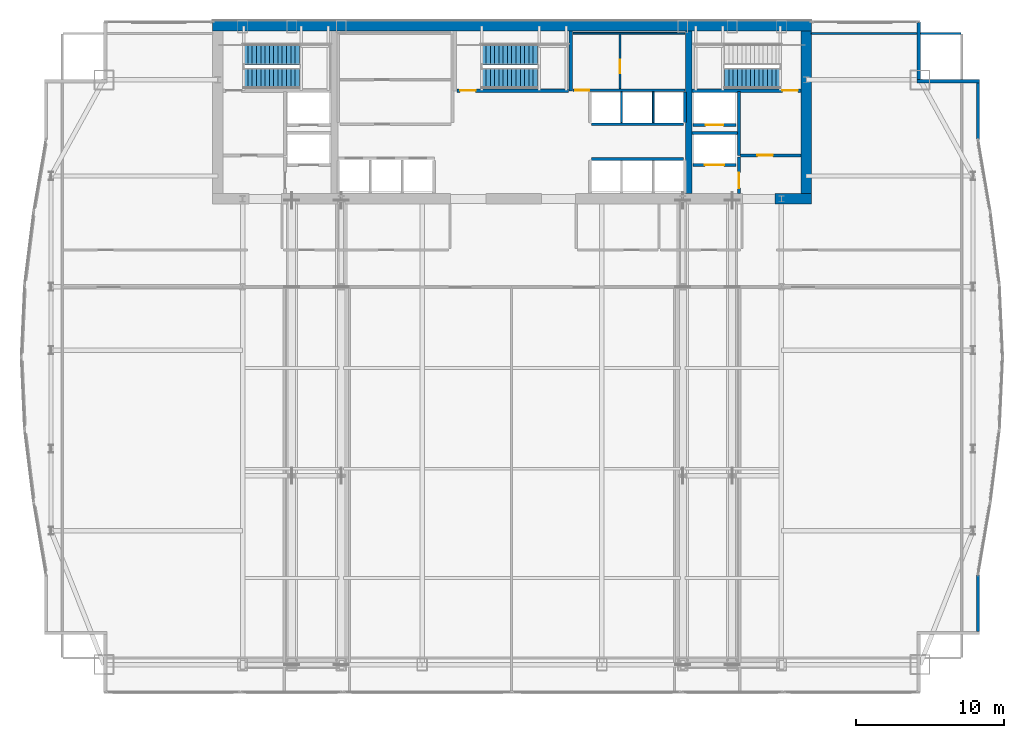
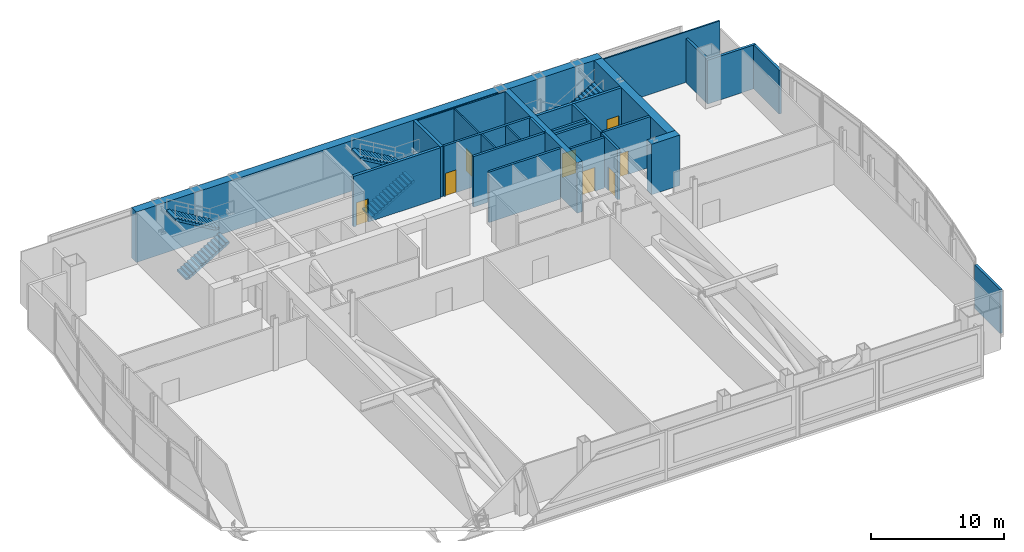
# One storey, part 26 of 30: 26 walls, 8 doors, 5 stair flights, 8 openings, 3 elements without a shape of their own.
"""IFC4 building model written with IfcOpenShell, lengths in metres."""

from ifc_helpers import new_model, si_unit, direction, frame, frame_2d, origin, place, context, subcontext, project, spatial, polyline, rectangle, outline, extrude, material, layer, layer_set, type_object, element, fill, aggregate, save


model = new_model("IFC4")

# Units and contexts
model_context = context("Model", 3, precision=1e-05, world=origin(), true_north=direction((0.0, 1.0)))
body_context = subcontext(model_context, "Body", "Model", "MODEL_VIEW")
ifc_project = project(units=[si_unit("LENGTHUNIT", "METRE"), si_unit("AREAUNIT", "SQUARE_METRE"), si_unit("VOLUMEUNIT", "CUBIC_METRE"), si_unit("PLANEANGLEUNIT", "RADIAN"), si_unit("MASSUNIT", "GRAM", prefix="KILO")], contexts=[model_context])

# Site, building, storey
site_placement = place(None, origin())
site = spatial("IfcSite", under=ifc_project, at=site_placement, CompositionType="ELEMENT")
building_placement = place(site_placement, origin())
building = spatial("IfcBuilding", under=site, at=building_placement, Name="Khoronbel Lancet Exchange", CompositionType="ELEMENT")
storey_placement = place(building_placement, frame((0.0, 0.0, 172.199951171875)))
storey = spatial("IfcBuildingStorey", under=building, at=storey_placement, Name="L43", CompositionType="ELEMENT", Elevation=172.199951171875)

# Walls
ifc_material_1 = material(Name="Concrete C80/95", Category="concrete")
ifc_layer_1 = layer(ifc_material_1, 0.699951171875, Name="Concrete C80/95")
ifc_layer_set_1 = layer_set([ifc_layer_1], Name="Concrete C80/95")
wall_type_1 = type_object("IfcWallType", Name="WL-CW2", PredefinedType="SHEAR", material=ifc_layer_set_1)
wall_1_placement = place(storey_placement, frame((16.199951171875, 53.35009765625, 0.0), z_axis=(0.0, 0.0, 1.0), x_axis=(1.0, 0.0, 0.0)))
element("IfcWall", 1, at=wall_1_placement, inside=storey, type_object=wall_type_1, Name="Level L43 rear core north shear wall", PredefinedType="SHEAR", context=body_context, shape_type="SweptSolid", body=[
    extrude(rectangle(XDim=40.5, YDim=0.699951171875, at=frame_2d((20.25, 0.0))), origin(), (0.0, 0.0, 1.0), 4.64013671875),
])
wall_2_placement = place(storey_placement, frame((56.35009765625, 53.0, 0.0), z_axis=(0.0, 0.0, 1.0), x_axis=(0.0, -1.0, 0.0)))
element("IfcWall", 2, at=wall_2_placement, inside=storey, type_object=wall_type_1, Name="Level L43 rear core east shear wall", PredefinedType="SHEAR", context=body_context, shape_type="SweptSolid", body=[
    extrude(rectangle(XDim=11.0, YDim=0.699951171875, at=frame_2d((5.5, 0.0))), origin(), (0.0, 0.0, 1.0), 4.64013671875),
])
wall_3_placement = place(storey_placement, frame((56.699951171875, 41.64990234375, 0.0), z_axis=(0.0, 0.0, 1.0), x_axis=(-1.0, 0.0, 0.0)))
element("IfcWall", 3, at=wall_3_placement, inside=storey, type_object=wall_type_1, Name="Level L43 rear core south shear wall pier P5", PredefinedType="SHEAR", context=body_context, shape_type="SweptSolid", body=[
    extrude(rectangle(XDim=2.449951171875, YDim=0.699951171875, at=frame_2d((1.22509765625, 0.0))), origin(), (0.0, 0.0, 1.0), 4.64013671875),
])
ifc_material_2 = material(Name="Precast concrete C40/50", Category="concrete")
ifc_layer_2 = layer(ifc_material_2, 0.25, Name="Precast concrete C40/50")
ifc_layer_set_2 = layer_set([ifc_layer_2], Name="Precast concrete C40/50")
wall_type_2 = type_object("IfcWallType", Name="WL-EXT250", PredefinedType="SOLIDWALL", material=ifc_layer_set_2)
wall_4_placement = place(storey_placement, frame((63.9599609375, 53.6298828125, 0.0), z_axis=(0.0, 0.0, 1.0), x_axis=(0.0, -1.0, 0.0)))
element("IfcWall", 4, at=wall_4_placement, inside=storey, type_object=wall_type_2, Name="Level L43 notched-corner limestone pier 14", PredefinedType="SOLIDWALL", context=body_context, shape_type="SweptSolid", body=[
    extrude(rectangle(XDim=3.909912109375, YDim=0.219970703125, at=frame_2d((1.955078125, 0.0))), origin(), (0.0, 0.0, 1.0), 4.030029296875),
])
wall_5_placement = place(storey_placement, frame((63.85009765625, 49.610107421875, 0.0), z_axis=(0.0, 0.0, 1.0), x_axis=(1.0, 0.0, 0.0)))
element("IfcWall", 5, at=wall_5_placement, inside=storey, type_object=wall_type_2, Name="Level L43 notched-corner limestone pier 15", PredefinedType="SOLIDWALL", context=body_context, shape_type="SweptSolid", body=[
    extrude(rectangle(XDim=4.219970703125, YDim=0.219970703125, at=frame_2d((2.10986328125, 0.0))), origin(), (0.0, 0.0, 1.0), 4.030029296875),
])
for number, where, z_axis, x_axis, name in (
    (6, (67.9599609375, 49.5, 0.0), (0.0, 0.0, 1.0), (0.0, -1.0, 0.0), "Level L43 notched-corner limestone pier 16"),
    (7, (67.9599609375, 16.2275390625, 0.0), (0.0, 0.0, 1.0), (0.0, -1.0, 0.0), "Level L43 notched-corner limestone pier 23"),
):
    element("IfcWall", number, at=place(storey_placement, frame(where, z_axis=z_axis, x_axis=x_axis)), inside=storey, type_object=wall_type_2, Name=name, PredefinedType="SOLIDWALL", context=body_context, shape_type="SweptSolid", body=[
        extrude(rectangle(XDim=3.82763671875, YDim=0.219970703125, at=frame_2d((1.913818359375, 0.0))), origin(), (0.0, 0.0, 1.0), 4.030029296875),
    ])
ifc_material_3 = material(Name="Acoustic Metal-Stud & Mineral-Wool Gypsum Partition 120 mm", Category="gypsum")
ifc_layer_3 = layer(ifc_material_3, 0.1201171875, Name="Acoustic Metal-Stud & Mineral-Wool Gypsum Partition 120 mm")
ifc_layer_set_3 = layer_set([ifc_layer_3], Name="Acoustic Metal-Stud & Mineral-Wool Gypsum Partition 120 mm")
wall_type_3 = type_object("IfcWallType", Name="WL-PRT120", PredefinedType="PARTITIONING", material=ifc_layer_set_3)
wall_6_placement = place(storey_placement, frame((56.699951171875, 52.840087890625, 0.0), z_axis=(0.0, 0.0, 1.0), x_axis=(1.0, 0.0, 0.0)))
element("IfcWall", 8, at=wall_6_placement, inside=storey, type_object=wall_type_3, Name="Level L43 interior partition PW-LIN-NE", PredefinedType="PARTITIONING", context=body_context, shape_type="SweptSolid", body=[
    extrude(rectangle(XDim=10.10498046875, YDim=0.1201171875, at=frame_2d((5.052490234375, 0.0))), origin(), (0.0, 0.0, 1.0), 4.64013671875),
])
ifc_material_4 = material(Name="Fire-Rated Metal-Stud & Mineral-Wool Gypsum Partition 120 mm", Category="gypsum")
ifc_layer_4 = layer(ifc_material_4, 0.1201171875, Name="Fire-Rated Metal-Stud & Mineral-Wool Gypsum Partition 120 mm")
ifc_layer_set_4 = layer_set([ifc_layer_4], Name="Fire-Rated Metal-Stud & Mineral-Wool Gypsum Partition 120 mm")
wall_type_4 = type_object("IfcWallType", Name="WL-PRT120F", PredefinedType="PARTITIONING", material=ifc_layer_set_4)
for number, where, z_axis, x_axis, name in (
    (9, (43.860107421875, 46.804931640625, 0.0), (0.0, 0.0, 1.0), (0.0, 1.0, 0.0), "Level L43 interior partition CW-PH-D1"),
    (10, (46.0, 46.804931640625, 0.0), (0.0, 0.0, 1.0), (0.0, 1.0, 0.0), "Level L43 interior partition CW-PH-D2"),
):
    element("IfcWall", number, at=place(storey_placement, frame(where, z_axis=z_axis, x_axis=x_axis)), inside=storey, type_object=wall_type_4, Name=name, PredefinedType="PARTITIONING", context=body_context, shape_type="SweptSolid", body=[
        extrude(rectangle(XDim=2.090087890625, YDim=0.1201171875, at=frame_2d((1.044921875, 0.0))), origin(), (0.0, 0.0, 1.0), 4.64013671875),
    ])
wall_7_placement = place(storey_placement, frame((40.580078125, 52.860107421875, 0.0), z_axis=(0.0, 0.0, 1.0), x_axis=(1.0, 0.0, 0.0)))
element("IfcWall", 11, at=wall_7_placement, inside=storey, type_object=wall_type_4, Name="Level L43 interior partition CW-SUP-NE-N", PredefinedType="PARTITIONING", context=body_context, shape_type="SweptSolid", body=[
    extrude(rectangle(XDim=7.559814453125, YDim=0.1201171875, at=frame_2d((3.77978515625, 0.0))), origin(), (0.0, 0.0, 1.0), 4.64013671875),
])

# Wall, opening, door
wall_8_placement = place(storey_placement, frame((43.755126953125, 49.10498046875, 0.0), z_axis=(0.0, 0.0, 1.0), x_axis=(0.0, 1.0, 0.0)))
wall_8 = element("IfcWall", 12, at=wall_8_placement, inside=storey, type_object=wall_type_4, Name="Level L43 interior partition CW-SUP-NE-M", PredefinedType="PARTITIONING", context=body_context, shape_type="SweptSolid", body=[
    extrude(rectangle(XDim=3.68994140625, YDim=0.1201171875, at=frame_2d((1.844970703125, 0.0))), origin(), (0.0, 0.0, 1.0), 4.64013671875),
])
opening_1_placement = place(wall_8_placement, frame((1.050048828125, 0.0, 0.0)))
opening_1 = element("IfcOpeningElement", 13, at=opening_1_placement, cuts=wall_8, Name="Opening FD4", PredefinedType="OPENING", context=body_context, shape_type="SweptSolid", body=[
    extrude(rectangle(XDim=0.89990234375, YDim=2.050048828125, at=frame_2d((0.449951171875, 1.02490234375))), frame((0.0, 0.070068359375, 0.0), z_axis=(0.0, -1.0, 0.0), x_axis=(1.0, 0.0, 0.0)), (0.0, 0.0, 1.0), 0.14013671875),
])
ifc_material_5 = material(Name="Fire-Rated Steel Core Support Door Assembly", Category="steel")
door_type_1 = type_object("IfcDoorType", Name="DR-FD4", OperationType="NOTDEFINED", PredefinedType="DOOR", material=ifc_material_5)
door_1_placement = place(opening_1_placement, origin())
door_1 = element("IfcDoor", 14, at=door_1_placement, inside=storey, type_object=door_type_1, Name="Core NE inner support door L43-1", OperationType="SINGLE_SWING_RIGHT", OverallHeight=2.050048828125, OverallWidth=0.89990234375, PredefinedType="DOOR", context=body_context, shape_type="SweptSolid", body=[
    extrude(rectangle(XDim=0.89990234375, YDim=2.050048828125, at=frame_2d((0.449951171875, 1.02490234375))), frame((0.0, 0.02490234375, 0.0), z_axis=(0.0, -1.0, 0.0), x_axis=(1.0, 0.0, 0.0)), (0.0, 0.0, 1.0), 0.050048828125),
])
fill(opening_1, door_1)

ifc_material_6 = material(Name="Autoclaved Aerated Concrete Blockwork 200 mm", Category="masonry")
ifc_layer_5 = layer(ifc_material_6, 0.199951171875, Name="Autoclaved Aerated Concrete Blockwork 200 mm")
ifc_layer_set_5 = layer_set([ifc_layer_5], Name="Autoclaved Aerated Concrete Blockwork 200 mm")
wall_type_5 = type_object("IfcWallType", Name="WL-PRT200", PredefinedType="PARTITIONING", material=ifc_layer_set_5)
wall_9_placement = place(storey_placement, frame((51.610107421875, 43.949951171875, 0.0), z_axis=(0.0, 0.0, 1.0), x_axis=(-1.0, 0.0, 0.0)))
wall_9 = element("IfcWall", 15, at=wall_9_placement, inside=storey, type_object=wall_type_5, Name="Level L43 elevator hoistway landing front wall SVLE", PredefinedType="PARTITIONING", context=body_context, shape_type="SweptSolid", body=[
    extrude(rectangle(XDim=2.920166015625, YDim=0.199951171875, at=frame_2d((1.4599609375, 0.0))), origin(), (0.0, 0.0, 1.0), 4.64013671875),
])
opening_2_placement = place(wall_9_placement, frame((0.81005859375, 0.0, 0.0)))
opening_2 = element("IfcOpeningElement", 16, at=opening_2_placement, cuts=wall_9, Name="Opening LD-SVL2", PredefinedType="OPENING", context=body_context, shape_type="SweptSolid", body=[
    extrude(rectangle(XDim=1.300048828125, YDim=2.179931640625, at=frame_2d((0.64990234375, 1.08984375))), frame((0.0, 0.10986328125, 0.0), z_axis=(0.0, -1.0, 0.0), x_axis=(1.0, 0.0, 0.0)), (0.0, 0.0, 1.0), 0.219970703125),
])
ifc_material_7 = material(Name="Heavy-Duty Bi-Parting Goods Lift Landing Door", Category="steel")
door_type_2 = type_object("IfcDoorType", Name="DR-LD-SVL", OperationType="NOTDEFINED", PredefinedType="DOOR", material=ifc_material_7)
door_2_placement = place(opening_2_placement, origin())
door_2 = element("IfcDoor", 17, at=door_2_placement, inside=storey, type_object=door_type_2, Name="Elevator landing sliding door LD-SVL2 L43", OperationType="SLIDING_TO_LEFT", OverallHeight=2.179931640625, OverallWidth=1.300048828125, PredefinedType="DOOR", context=body_context, shape_type="SweptSolid", body=[
    extrude(rectangle(XDim=1.300048828125, YDim=2.179931640625, at=frame_2d((0.64990234375, 1.08984375))), frame((0.0, 0.02490234375, 0.0), z_axis=(0.0, -1.0, 0.0), x_axis=(1.0, 0.0, 0.0)), (0.0, 0.0, 1.0), 0.050048828125),
])
fill(opening_2, door_2)

wall_10_placement = place(storey_placement, frame((51.610107421875, 46.64990234375, 0.0), z_axis=(0.0, 0.0, 1.0), x_axis=(-1.0, 0.0, 0.0)))
wall_10 = element("IfcWall", 18, at=wall_10_placement, inside=storey, type_object=wall_type_5, Name="Level L43 elevator hoistway landing front wall FFLE", PredefinedType="PARTITIONING", context=body_context, shape_type="SweptSolid", body=[
    extrude(rectangle(XDim=2.920166015625, YDim=0.199951171875, at=frame_2d((1.4599609375, 0.0))), origin(), (0.0, 0.0, 1.0), 4.64013671875),
])
opening_3_placement = place(wall_10_placement, frame((0.860107421875, 0.0, 0.0)))
opening_3 = element("IfcOpeningElement", 19, at=opening_3_placement, cuts=wall_10, Name="Opening LD-FFL2", PredefinedType="OPENING", context=body_context, shape_type="SweptSolid", body=[
    extrude(rectangle(XDim=1.199951171875, YDim=2.179931640625, at=frame_2d((0.60009765625, 1.08984375))), frame((0.0, 0.10986328125, 0.0), z_axis=(0.0, -1.0, 0.0), x_axis=(1.0, 0.0, 0.0)), (0.0, 0.0, 1.0), 0.219970703125),
])
ifc_material_8 = material(Name="Fire-Rated Stainless Bi-Parting Firefighting Lift Door", Category="steel")
door_type_3 = type_object("IfcDoorType", Name="DR-LD-FFL", OperationType="NOTDEFINED", PredefinedType="DOOR", material=ifc_material_8)
door_3_placement = place(opening_3_placement, origin())
door_3 = element("IfcDoor", 20, at=door_3_placement, inside=storey, type_object=door_type_3, Name="Elevator landing sliding door LD-FFL2 L43", OperationType="SLIDING_TO_LEFT", OverallHeight=2.179931640625, OverallWidth=1.199951171875, PredefinedType="DOOR", context=body_context, shape_type="SweptSolid", body=[
    extrude(rectangle(XDim=1.199951171875, YDim=2.179931640625, at=frame_2d((0.60009765625, 1.08984375))), frame((0.0, 0.02490234375, 0.0), z_axis=(0.0, -1.0, 0.0), x_axis=(1.0, 0.0, 0.0)), (0.0, 0.0, 1.0), 0.050048828125),
])
fill(opening_3, door_3)

# Wall
wall_11_placement = place(storey_placement, frame((51.800048828125, 44.60009765625, 0.0), z_axis=(0.0, 0.0, 1.0), x_axis=(0.0, 1.0, 0.0)))
element("IfcWall", 21, at=wall_11_placement, inside=storey, type_object=wall_type_5, Name="Level L43 interior partition CW-FFLE-W", PredefinedType="PARTITIONING", context=body_context, shape_type="SweptSolid", body=[
    extrude(rectangle(XDim=4.2998046875, YDim=0.199951171875, at=frame_2d((2.14990234375, 0.0))), origin(), (0.0, 0.0, 1.0), 4.64013671875),
])

# Wall, opening, door
wall_12_placement = place(storey_placement, frame((51.89990234375, 44.60009765625, 0.0), z_axis=(0.0, 0.0, 1.0), x_axis=(1.0, 0.0, 0.0)))
wall_12 = element("IfcWall", 22, at=wall_12_placement, inside=storey, type_object=wall_type_5, Name="Level L43 interior partition CW-FFLE-S", PredefinedType="PARTITIONING", context=body_context, shape_type="SweptSolid", body=[
    extrude(rectangle(XDim=4.10009765625, YDim=0.199951171875, at=frame_2d((2.050048828125, 0.0))), origin(), (0.0, 0.0, 1.0), 4.64013671875),
])
opening_4_placement = place(wall_12_placement, frame((1.14990234375, 0.0, 0.0)))
opening_4 = element("IfcOpeningElement", 23, at=opening_4_placement, cuts=wall_12, Name="Opening FD1", PredefinedType="OPENING", context=body_context, shape_type="SweptSolid", body=[
    extrude(rectangle(XDim=1.050048828125, YDim=2.14990234375, at=frame_2d((0.52490234375, 1.074951171875))), frame((0.0, 0.10986328125, 0.0), z_axis=(0.0, -1.0, 0.0), x_axis=(1.0, 0.0, 0.0)), (0.0, 0.0, 1.0), 0.219970703125),
])
ifc_material_9 = material(Name="Fire-Rated Painted Steel Door Assembly", Category="steel")
door_type_4 = type_object("IfcDoorType", Name="DR-FD1", OperationType="NOTDEFINED", PredefinedType="DOOR", material=ifc_material_9)
door_4_placement = place(opening_4_placement, origin())
door_4 = element("IfcDoor", 24, at=door_4_placement, inside=storey, type_object=door_type_4, Name="East firefighting lobby FD90S door L43-1", OperationType="SINGLE_SWING_LEFT", OverallHeight=2.14990234375, OverallWidth=1.050048828125, PredefinedType="DOOR", context=body_context, shape_type="SweptSolid", body=[
    extrude(rectangle(XDim=1.050048828125, YDim=2.14990234375, at=frame_2d((0.52490234375, 1.074951171875))), frame((0.0, 0.02490234375, 0.0), z_axis=(0.0, -1.0, 0.0), x_axis=(1.0, 0.0, 0.0)), (0.0, 0.0, 1.0), 0.050048828125),
])
fill(opening_4, door_4)

# Wall
wall_13_placement = place(storey_placement, frame((48.6298828125, 46.1201171875, 0.0), z_axis=(0.0, 0.0, 1.0), x_axis=(1.0, 0.0, 0.0)))
element("IfcWall", 25, at=wall_13_placement, inside=storey, type_object=wall_type_5, Name="Level L43 interior partition CW-FFL2-S", PredefinedType="PARTITIONING", context=body_context, shape_type="SweptSolid", body=[
    extrude(rectangle(XDim=3.070068359375, YDim=0.199951171875, at=frame_2d((1.53515625, 0.0))), origin(), (0.0, 0.0, 1.0), 4.64013671875),
])

# Wall, opening, door
wall_14_placement = place(storey_placement, frame((51.800048828125, 42.0, 0.0), z_axis=(0.0, 0.0, 1.0), x_axis=(0.0, 1.0, 0.0)))
wall_14 = element("IfcWall", 26, at=wall_14_placement, inside=storey, type_object=wall_type_5, Name="Level L43 interior partition CW-SVLE-E", PredefinedType="PARTITIONING", context=body_context, shape_type="SweptSolid", body=[
    extrude(rectangle(XDim=2.4951171875, YDim=0.199951171875, at=frame_2d((1.24755859375, 0.0))), origin(), (0.0, 0.0, 1.0), 4.64013671875),
])
opening_5_placement = place(wall_14_placement, frame((0.3798828125, 0.0, 0.0)))
opening_5 = element("IfcOpeningElement", 27, at=opening_5_placement, cuts=wall_14, Name="Opening FD1", PredefinedType="OPENING", context=body_context, shape_type="SweptSolid", body=[
    extrude(rectangle(XDim=1.050048828125, YDim=2.14990234375, at=frame_2d((0.52490234375, 1.074951171875))), frame((0.0, 0.10986328125, 0.0), z_axis=(0.0, -1.0, 0.0), x_axis=(1.0, 0.0, 0.0)), (0.0, 0.0, 1.0), 0.219970703125),
])
door_5_placement = place(opening_5_placement, origin())
door_5 = element("IfcDoor", 28, at=door_5_placement, inside=storey, type_object=door_type_4, Name="East service lift lobby door L43-1", OperationType="SINGLE_SWING_RIGHT", OverallHeight=2.14990234375, OverallWidth=1.050048828125, PredefinedType="DOOR", context=body_context, shape_type="SweptSolid", body=[
    extrude(rectangle(XDim=1.050048828125, YDim=2.14990234375, at=frame_2d((0.52490234375, 1.074951171875))), frame((0.0, 0.02490234375, 0.0), z_axis=(0.0, -1.0, 0.0), x_axis=(1.0, 0.0, 0.0)), (0.0, 0.0, 1.0), 0.050048828125),
])
fill(opening_5, door_5)

# Walls
wall_15_placement = place(storey_placement, frame((41.824951171875, 46.699951171875, 0.0), z_axis=(0.0, 0.0, 1.0), x_axis=(1.0, 0.0, 0.0)))
element("IfcWall", 29, at=wall_15_placement, inside=storey, type_object=wall_type_5, Name="Level L43 interior partition CW-PH-EXP", PredefinedType="PARTITIONING", context=body_context, shape_type="SweptSolid", body=[
    extrude(rectangle(XDim=6.2099609375, YDim=0.199951171875, at=frame_2d((3.10498046875, 0.0))), origin(), (0.0, 0.0, 1.0), 4.64013671875),
])
wall_16_placement = place(storey_placement, frame((48.139892578125, 46.804931640625, 0.0), z_axis=(0.0, 0.0, 1.0), x_axis=(0.0, 1.0, 0.0)))
element("IfcWall", 30, at=wall_16_placement, inside=storey, type_object=wall_type_5, Name="Level L43 interior partition CW-PH-E", PredefinedType="PARTITIONING", context=body_context, shape_type="SweptSolid", body=[
    extrude(rectangle(XDim=2.090087890625, YDim=0.199951171875, at=frame_2d((1.044921875, 0.0))), origin(), (0.0, 0.0, 1.0), 4.64013671875),
])
wall_17_placement = place(storey_placement, frame((41.824951171875, 44.35009765625, 0.0), z_axis=(0.0, 0.0, 1.0), x_axis=(1.0, 0.0, 0.0)))
element("IfcWall", 31, at=wall_17_placement, inside=storey, type_object=wall_type_5, Name="Level L43 interior partition CW-PX-EXP", PredefinedType="PARTITIONING", context=body_context, shape_type="SweptSolid", body=[
    extrude(rectangle(XDim=6.2099609375, YDim=0.199951171875, at=frame_2d((3.10498046875, 0.0))), origin(), (0.0, 0.0, 1.0), 4.64013671875),
])

# Wall, opening, door
wall_18_placement = place(storey_placement, frame((40.580078125, 49.0, 0.0), z_axis=(0.0, 0.0, 1.0), x_axis=(1.0, 0.0, 0.0)))
wall_18 = element("IfcWall", 32, at=wall_18_placement, inside=storey, type_object=wall_type_5, Name="Level L43 interior partition CW-SUP-NE-S", PredefinedType="PARTITIONING", context=body_context, shape_type="SweptSolid", body=[
    extrude(rectangle(XDim=7.559814453125, YDim=0.199951171875, at=frame_2d((3.77978515625, 0.0))), origin(), (0.0, 0.0, 1.0), 4.64013671875),
])
opening_6_placement = place(wall_18_placement, frame((0.159912109375, 0.0, 0.0)))
opening_6 = element("IfcOpeningElement", 33, at=opening_6_placement, cuts=wall_18, Name="Opening FD3", PredefinedType="OPENING", context=body_context, shape_type="SweptSolid", body=[
    extrude(rectangle(XDim=0.949951171875, YDim=2.10009765625, at=frame_2d((0.47509765625, 1.050048828125))), frame((0.0, 0.10986328125, 0.0), z_axis=(0.0, -1.0, 0.0), x_axis=(1.0, 0.0, 0.0)), (0.0, 0.0, 1.0), 0.219970703125),
])
ifc_material_10 = material(Name="Fire-Rated Steel Plant & Riser Door Assembly", Category="steel")
door_type_5 = type_object("IfcDoorType", Name="DR-FD3", OperationType="NOTDEFINED", PredefinedType="DOOR", material=ifc_material_10)
door_6_placement = place(opening_6_placement, origin())
door_6 = element("IfcDoor", 34, at=door_6_placement, inside=storey, type_object=door_type_5, Name="Core NE support room door L43-1", OperationType="SINGLE_SWING_LEFT", OverallHeight=2.10009765625, OverallWidth=0.949951171875, PredefinedType="DOOR", context=body_context, shape_type="SweptSolid", body=[
    extrude(rectangle(XDim=0.949951171875, YDim=2.10009765625, at=frame_2d((0.47509765625, 1.050048828125))), frame((0.0, 0.02490234375, 0.0), z_axis=(0.0, -1.0, 0.0), x_axis=(1.0, 0.0, 0.0)), (0.0, 0.0, 1.0), 0.050048828125),
])
fill(opening_6, door_6)

# Walls
ifc_layer_6 = layer(ifc_material_1, 0.449951171875, Name="Concrete C80/95")
ifc_layer_set_6 = layer_set([ifc_layer_6], Name="Concrete C80/95")
wall_type_6 = type_object("IfcWallType", Name="WL-SW1", PredefinedType="SHEAR", material=ifc_layer_set_6)
wall_19_placement = place(storey_placement, frame((48.39990234375, 42.0, 0.0), z_axis=(0.0, 0.0, 1.0), x_axis=(0.0, 1.0, 0.0)))
element("IfcWall", 35, at=wall_19_placement, inside=storey, type_object=wall_type_6, Name="Level L43 rear core internal spine shear wall IE", PredefinedType="SHEAR", context=body_context, shape_type="SweptSolid", body=[
    extrude(rectangle(XDim=11.0, YDim=0.449951171875, at=frame_2d((5.5, 0.0))), origin(), (0.0, 0.0, 1.0), 4.64013671875),
])
ifc_material_11 = material(Name="Concrete C60/75", Category="concrete")
ifc_layer_7 = layer(ifc_material_11, 0.260009765625, Name="Concrete C60/75")
ifc_layer_set_7 = layer_set([ifc_layer_7], Name="Concrete C60/75")
wall_type_7 = type_object("IfcWallType", Name="WL-SW3", PredefinedType="SHEAR", material=ifc_layer_set_7)
wall_20_placement = place(storey_placement, frame((40.419921875, 48.949951171875, 0.0), z_axis=(0.0, 0.0, 1.0), x_axis=(0.0, 1.0, 0.0)))
element("IfcWall", 36, at=wall_20_placement, inside=storey, type_object=wall_type_7, Name="Level L43 central stairwell structural shear wall ST3E", PredefinedType="SHEAR", context=body_context, shape_type="SweptSolid", body=[
    extrude(rectangle(XDim=4.050048828125, YDim=0.260009765625, at=frame_2d((2.02490234375, 0.0))), origin(), (0.0, 0.0, 1.0), 4.64013671875),
])

# Wall, opening, door
wall_21_placement = place(storey_placement, frame((48.6298828125, 48.97998046875, 0.0), z_axis=(0.0, 0.0, 1.0), x_axis=(1.0, 0.0, 0.0)))
wall_21 = element("IfcWall", 37, at=wall_21_placement, inside=storey, type_object=wall_type_7, Name="Level L43 east stairwell structural south wall", PredefinedType="SHEAR", context=body_context, shape_type="SweptSolid", body=[
    extrude(rectangle(XDim=7.3701171875, YDim=0.239990234375, at=frame_2d((3.68505859375, 0.0))), origin(), (0.0, 0.0, 1.0), 4.64013671875),
])
opening_7_placement = place(wall_21_placement, frame((6.10009765625, 0.0, 0.0)))
opening_7 = element("IfcOpeningElement", 38, at=opening_7_placement, cuts=wall_21, Name="Opening SD1", PredefinedType="OPENING", context=body_context, shape_type="SweptSolid", body=[
    extrude(rectangle(XDim=1.050048828125, YDim=2.14990234375, at=frame_2d((0.52490234375, 1.074951171875))), frame((0.0, 0.1298828125, 0.0), z_axis=(0.0, -1.0, 0.0), x_axis=(1.0, 0.0, 0.0)), (0.0, 0.0, 1.0), 0.260009765625),
])
ifc_material_12 = material(Name="Fire-Rated Steel Stairwell Door Assembly", Category="steel")
door_type_6 = type_object("IfcDoorType", Name="DR-SD1", OperationType="NOTDEFINED", PredefinedType="DOOR", material=ifc_material_12)
door_7_placement = place(opening_7_placement, origin())
door_7 = element("IfcDoor", 39, at=door_7_placement, inside=storey, type_object=door_type_6, Name="Protected exit stair ST2 door L43", OperationType="SINGLE_SWING_RIGHT", OverallHeight=2.14990234375, OverallWidth=1.050048828125, PredefinedType="DOOR", context=body_context, shape_type="SweptSolid", body=[
    extrude(rectangle(XDim=1.050048828125, YDim=2.14990234375, at=frame_2d((0.52490234375, 1.074951171875))), frame((0.0, 0.02490234375, 0.0), z_axis=(0.0, -1.0, 0.0), x_axis=(1.0, 0.0, 0.0)), (0.0, 0.0, 1.0), 0.050048828125),
])
fill(opening_7, door_7)

wall_22_placement = place(storey_placement, frame((32.719970703125, 48.97998046875, 0.0), z_axis=(0.0, 0.0, 1.0), x_axis=(1.0, 0.0, 0.0)))
wall_22 = element("IfcWall", 40, at=wall_22_placement, inside=storey, type_object=wall_type_7, Name="Level L43 central stairwell structural south wall", PredefinedType="SHEAR", context=body_context, shape_type="SweptSolid", body=[
    extrude(rectangle(XDim=7.56005859375, YDim=0.239990234375, at=frame_2d((3.780029296875, 0.0))), origin(), (0.0, 0.0, 1.0), 4.64013671875),
])
opening_8_placement = place(wall_22_placement, frame((0.219970703125, 0.0, 0.0)))
opening_8 = element("IfcOpeningElement", 41, at=opening_8_placement, cuts=wall_22, Name="Opening SD1", PredefinedType="OPENING", context=body_context, shape_type="SweptSolid", body=[
    extrude(rectangle(XDim=1.050048828125, YDim=2.14990234375, at=frame_2d((0.52490234375, 1.074951171875))), frame((0.0, 0.1298828125, 0.0), z_axis=(0.0, -1.0, 0.0), x_axis=(1.0, 0.0, 0.0)), (0.0, 0.0, 1.0), 0.260009765625),
])
door_8_placement = place(opening_8_placement, origin())
door_8 = element("IfcDoor", 42, at=door_8_placement, inside=storey, type_object=door_type_6, Name="Protected exit stair ST3 door L43", OperationType="SINGLE_SWING_LEFT", OverallHeight=2.14990234375, OverallWidth=1.050048828125, PredefinedType="DOOR", context=body_context, shape_type="SweptSolid", body=[
    extrude(rectangle(XDim=1.050048828125, YDim=2.14990234375, at=frame_2d((0.52490234375, 1.074951171875))), frame((0.0, 0.02490234375, 0.0), z_axis=(0.0, -1.0, 0.0), x_axis=(1.0, 0.0, 0.0)), (0.0, 0.0, 1.0), 0.050048828125),
])
fill(opening_8, door_8)

# Stair, stair flights
ifc_material_13 = material(Name="Concrete C40/50", Category="concrete")
stair_type = type_object("IfcStairType", Name="STR-CORE150", PredefinedType="HALF_TURN_STAIR", material=ifc_material_13)
stair_1_placement = place(storey_placement, origin())
stair_1 = element("IfcStair", 43, at=stair_1_placement, inside=storey, type_object=stair_type, Name="L43 Protected Exit Stair ST1", PredefinedType="HALF_TURN_STAIR")
stair_flight_type = type_object("IfcStairFlightType", Name="STF-150", PredefinedType="STRAIGHT", material=ifc_material_13)
stair_flight_1_placement = place(storey_placement, frame((18.300048828125, 49.81005859375, 0.0), z_axis=(0.0, 0.0, 1.0), x_axis=(1.0, 0.0, 0.0)))
stair_flight_1 = element("IfcStairFlight", 44, at=stair_flight_1_placement, type_object=stair_flight_type, Name="ST1 flight 1", NumberOfRisers=14, NumberOfTreads=13, PredefinedType="STRAIGHT", RiserHeight=0.171428571, TreadLength=0.29, context=body_context, shape_type="SweptSolid", body=[
    extrude(outline(polyline([(0.0, 0.0), (0.0, 0.17138671875), (0.2900390625, 0.17138671875), (0.2900390625, 0.3427734375), (0.580078125, 0.3427734375), (0.580078125, 0.514404296875), (0.8701171875, 0.514404296875), (0.8701171875, 0.685791015625), (1.159912109375, 0.685791015625), (1.159912109375, 0.857177734375), (1.449951171875, 0.857177734375), (1.449951171875, 1.028564453125), (1.739990234375, 1.028564453125), (1.739990234375, 1.199951171875), (2.030029296875, 1.199951171875), (2.030029296875, 1.371337890625), (2.320068359375, 1.371337890625), (2.320068359375, 1.54296875), (2.610107421875, 1.54296875), (2.610107421875, 1.71435546875), (2.89990234375, 1.71435546875), (2.89990234375, 1.8857421875), (3.18994140625, 1.8857421875), (3.18994140625, 2.05712890625), (3.47998046875, 2.05712890625), (3.47998046875, 2.228515625), (3.77001953125, 2.228515625), (3.77001953125, 2.39990234375), (3.77001953125, 2.054443359375), (0.294677734375, 0.0), (0.0, 0.0)])), frame((0.0, 0.68994140625, 0.0), z_axis=(0.0, -1.0, 0.0), x_axis=(1.0, 0.0, 0.0)), (0.0, 0.0, 1.0), 1.3798828125),
])
stair_flight_2_placement = place(storey_placement, frame((22.070068359375, 51.409912109375, 2.400146484375), z_axis=(0.0, 0.0, 1.0), x_axis=(-1.0, 0.0, 0.0)))
stair_flight_2 = element("IfcStairFlight", 45, at=stair_flight_2_placement, type_object=stair_flight_type, Name="ST1 flight 2", NumberOfRisers=14, NumberOfTreads=13, PredefinedType="STRAIGHT", RiserHeight=0.171428571, TreadLength=0.29, context=body_context, shape_type="SweptSolid", body=[
    extrude(outline(polyline([(0.0, 0.0), (0.0, 0.17138671875), (0.2900390625, 0.17138671875), (0.2900390625, 0.3427734375), (0.580078125, 0.3427734375), (0.580078125, 0.514404296875), (0.8701171875, 0.514404296875), (0.8701171875, 0.685791015625), (1.159912109375, 0.685791015625), (1.159912109375, 0.857177734375), (1.449951171875, 0.857177734375), (1.449951171875, 1.028564453125), (1.739990234375, 1.028564453125), (1.739990234375, 1.199951171875), (2.030029296875, 1.199951171875), (2.030029296875, 1.371337890625), (2.320068359375, 1.371337890625), (2.320068359375, 1.54296875), (2.610107421875, 1.54296875), (2.610107421875, 1.71435546875), (2.89990234375, 1.71435546875), (2.89990234375, 1.8857421875), (3.18994140625, 1.8857421875), (3.18994140625, 2.05712890625), (3.47998046875, 2.05712890625), (3.47998046875, 2.228515625), (3.77001953125, 2.228515625), (3.77001953125, 2.39990234375), (3.77001953125, 2.054443359375), (0.294677734375, 0.0), (0.0, 0.0)])), frame((0.0, 0.68994140625, 0.0), z_axis=(0.0, -1.0, 0.0), x_axis=(1.0, 0.0, 0.0)), (0.0, 0.0, 1.0), 1.3798828125),
])
aggregate(stair_1, [stair_flight_1, stair_flight_2])

# Stair, stair flight
stair_2_placement = place(storey_placement, origin())
stair_2 = element("IfcStair", 46, at=stair_2_placement, inside=storey, type_object=stair_type, Name="L43 Protected Exit Stair ST2", PredefinedType="HALF_TURN_STAIR")
stair_flight_3_placement = place(storey_placement, frame((50.830078125, 49.81005859375, 2.400146484375), z_axis=(0.0, 0.0, 1.0), x_axis=(1.0, 0.0, 0.0)))
stair_flight_3 = element("IfcStairFlight", 47, at=stair_flight_3_placement, type_object=stair_flight_type, Name="ST2 flight 2", NumberOfRisers=14, NumberOfTreads=13, PredefinedType="STRAIGHT", RiserHeight=0.171428571, TreadLength=0.29, context=body_context, shape_type="SweptSolid", body=[
    extrude(outline(polyline([(0.0, 0.0), (0.0, 0.17138671875), (0.2900390625, 0.17138671875), (0.2900390625, 0.3427734375), (0.580078125, 0.3427734375), (0.580078125, 0.514404296875), (0.8701171875, 0.514404296875), (0.8701171875, 0.685791015625), (1.159912109375, 0.685791015625), (1.159912109375, 0.857177734375), (1.449951171875, 0.857177734375), (1.449951171875, 1.028564453125), (1.739990234375, 1.028564453125), (1.739990234375, 1.199951171875), (2.030029296875, 1.199951171875), (2.030029296875, 1.371337890625), (2.320068359375, 1.371337890625), (2.320068359375, 1.54296875), (2.610107421875, 1.54296875), (2.610107421875, 1.71435546875), (2.89990234375, 1.71435546875), (2.89990234375, 1.8857421875), (3.18994140625, 1.8857421875), (3.18994140625, 2.05712890625), (3.47998046875, 2.05712890625), (3.47998046875, 2.228515625), (3.77001953125, 2.228515625), (3.77001953125, 2.39990234375), (3.77001953125, 2.054443359375), (0.294677734375, 0.0), (0.0, 0.0)])), frame((0.0, 0.68994140625, 0.0), z_axis=(0.0, -1.0, 0.0), x_axis=(1.0, 0.0, 0.0)), (0.0, 0.0, 1.0), 1.3798828125),
])
aggregate(stair_2, [stair_flight_3])

# Stair, stair flights
stair_3_placement = place(storey_placement, origin())
stair_3 = element("IfcStair", 48, at=stair_3_placement, inside=storey, type_object=stair_type, Name="L43 Protected Exit Stair ST3", PredefinedType="HALF_TURN_STAIR")
stair_flight_4_placement = place(storey_placement, frame((34.39990234375, 49.81005859375, 0.0), z_axis=(0.0, 0.0, 1.0), x_axis=(1.0, 0.0, 0.0)))
stair_flight_4 = element("IfcStairFlight", 49, at=stair_flight_4_placement, type_object=stair_flight_type, Name="ST3 flight 1", NumberOfRisers=14, NumberOfTreads=13, PredefinedType="STRAIGHT", RiserHeight=0.171428571, TreadLength=0.29, context=body_context, shape_type="SweptSolid", body=[
    extrude(outline(polyline([(0.0, 0.0), (0.0, 0.17138671875), (0.2900390625, 0.17138671875), (0.2900390625, 0.3427734375), (0.580078125, 0.3427734375), (0.580078125, 0.514404296875), (0.8701171875, 0.514404296875), (0.8701171875, 0.685791015625), (1.159912109375, 0.685791015625), (1.159912109375, 0.857177734375), (1.449951171875, 0.857177734375), (1.449951171875, 1.028564453125), (1.739990234375, 1.028564453125), (1.739990234375, 1.199951171875), (2.030029296875, 1.199951171875), (2.030029296875, 1.371337890625), (2.320068359375, 1.371337890625), (2.320068359375, 1.54296875), (2.610107421875, 1.54296875), (2.610107421875, 1.71435546875), (2.89990234375, 1.71435546875), (2.89990234375, 1.8857421875), (3.18994140625, 1.8857421875), (3.18994140625, 2.05712890625), (3.47998046875, 2.05712890625), (3.47998046875, 2.228515625), (3.77001953125, 2.228515625), (3.77001953125, 2.39990234375), (3.77001953125, 2.054443359375), (0.294677734375, 0.0), (0.0, 0.0)])), frame((0.0, 0.68994140625, 0.0), z_axis=(0.0, -1.0, 0.0), x_axis=(1.0, 0.0, 0.0)), (0.0, 0.0, 1.0), 1.3798828125),
])
stair_flight_5_placement = place(storey_placement, frame((38.169921875, 51.409912109375, 2.400146484375), z_axis=(0.0, 0.0, 1.0), x_axis=(-1.0, 0.0, 0.0)))
stair_flight_5 = element("IfcStairFlight", 50, at=stair_flight_5_placement, type_object=stair_flight_type, Name="ST3 flight 2", NumberOfRisers=14, NumberOfTreads=13, PredefinedType="STRAIGHT", RiserHeight=0.171428571, TreadLength=0.29, context=body_context, shape_type="SweptSolid", body=[
    extrude(outline(polyline([(0.0, 0.0), (0.0, 0.17138671875), (0.2900390625, 0.17138671875), (0.2900390625, 0.3427734375), (0.580078125, 0.3427734375), (0.580078125, 0.514404296875), (0.8701171875, 0.514404296875), (0.8701171875, 0.685791015625), (1.159912109375, 0.685791015625), (1.159912109375, 0.857177734375), (1.449951171875, 0.857177734375), (1.449951171875, 1.028564453125), (1.739990234375, 1.028564453125), (1.739990234375, 1.199951171875), (2.030029296875, 1.199951171875), (2.030029296875, 1.371337890625), (2.320068359375, 1.371337890625), (2.320068359375, 1.54296875), (2.610107421875, 1.54296875), (2.610107421875, 1.71435546875), (2.89990234375, 1.71435546875), (2.89990234375, 1.8857421875), (3.18994140625, 1.8857421875), (3.18994140625, 2.05712890625), (3.47998046875, 2.05712890625), (3.47998046875, 2.228515625), (3.77001953125, 2.228515625), (3.77001953125, 2.39990234375), (3.77001953125, 2.054443359375), (0.294677734375, 0.0), (0.0, 0.0)])), frame((0.0, 0.68994140625, 0.0), z_axis=(0.0, -1.0, 0.0), x_axis=(1.0, 0.0, 0.0)), (0.0, 0.0, 1.0), 1.3798828125),
])
aggregate(stair_3, [stair_flight_4, stair_flight_5])

save(model, "model.ifc")
